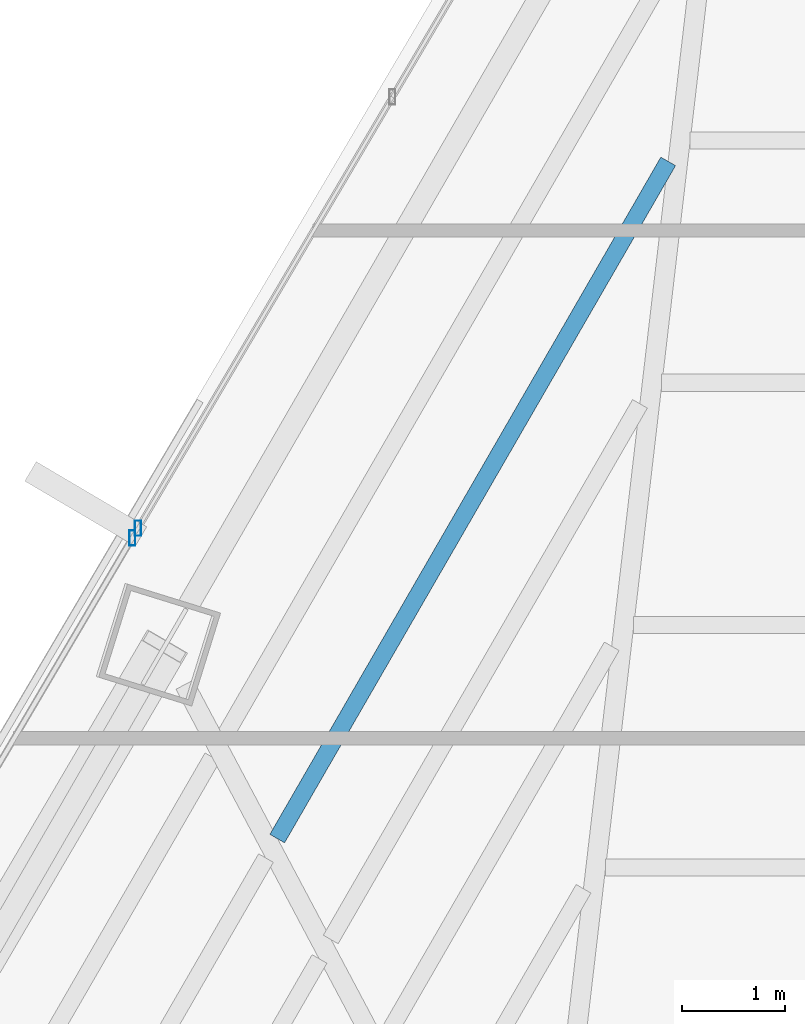
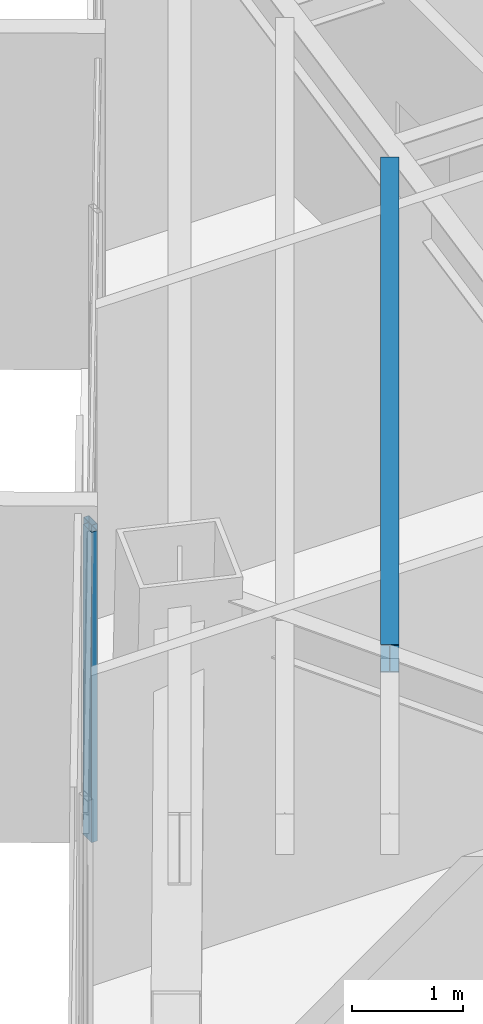
# One storey, part 26 of 41: 2 members, 1 beam, 2 elements without a shape of their own.
"""IFC4 building model written with IfcOpenShell, lengths in metres."""

import ifcopenshell
import ifcopenshell.guid

model = None  # the IFC model being written
_history = None  # IfcOwnerHistory: only IFC2X3 demands one
_inside = {}  # id of a spatial element -> (the spatial element, [elements in it])
_under = {}  # id of a project, library or spatial element -> (it, [spatial elements below it])
_declared = {}  # id of a project -> (the project, [libraries it declares])
_typed = {}  # id of a type object -> (the type object, [elements of that type])
_made_of = {}  # id of a material, layer set ... -> (it, [elements and type objects made of it])


def new_model(schema):
    """Start an empty IFC model of exactly this schema.

    Asked for "IFC4X3", IfcOpenShell would pick the latest addendum, in which some entities
    have other attributes; the version numbers below select the first issue.
    IFC2X3 requires an IfcOwnerHistory on every rooted entity: one is made here for all.
    """
    global model, _history
    if schema == "IFC4X3":
        model = ifcopenshell.file(schema_version=(4, 3, 0, 0))
    else:
        model = ifcopenshell.file(schema=schema)
    _inside.clear()
    _under.clear()
    _declared.clear()
    _typed.clear()
    _made_of.clear()
    _history = None
    if model.schema == "IFC2X3":
        org = make("IfcOrganization", Name="unknown")
        user = make(
            "IfcPersonAndOrganization",
            ThePerson=make("IfcPerson", FamilyName="unknown"),
            TheOrganization=org,
        )
        app = make(
            "IfcApplication",
            ApplicationDeveloper=org,
            Version="unknown",
            ApplicationFullName="unknown",
            ApplicationIdentifier="unknown",
        )
        _history = make(
            "IfcOwnerHistory",
            OwningUser=user,
            OwningApplication=app,
            ChangeAction="ADDED",
            CreationDate=0,
        )
    return model


def make(cls, **values):
    """One entity of the class cls with the attributes given. An attribute that is None is left unset."""
    return model.create_entity(
        cls, **{name: value for name, value in values.items() if value is not None}
    )


def rooted(cls, **values):
    """An entity with a GlobalId (a new one), such as an element, a storey or a relation."""
    return make(cls, GlobalId=ifcopenshell.guid.new(), OwnerHistory=_history, **values)


def si_unit(unit_type, name, prefix=None):
    """IfcSIUnit, for example si_unit("LENGTHUNIT", "METRE", prefix="MILLI")."""
    return make("IfcSIUnit", UnitType=unit_type, Prefix=prefix, Name=name)


def assignment(units):
    """IfcUnitAssignment: the units of a project."""
    return None if units is None else make("IfcUnitAssignment", Units=units)


def point(xyz):
    """IfcCartesianPoint."""
    return None if xyz is None else make("IfcCartesianPoint", Coordinates=xyz)


def direction(xyz):
    """IfcDirection."""
    return None if xyz is None else make("IfcDirection", DirectionRatios=xyz)


def frame(location, z_axis=None, x_axis=None):
    """IfcAxis2Placement3D, a coordinate frame: its origin and axes. An axis left out is left unset."""
    return make(
        "IfcAxis2Placement3D",
        Location=point(location),
        Axis=direction(z_axis),
        RefDirection=direction(x_axis),
    )


def frame_2d(location, x_axis=None):
    """IfcAxis2Placement2D, a coordinate frame in the plane: its origin and x axis."""
    return make(
        "IfcAxis2Placement2D", Location=point(location), RefDirection=direction(x_axis)
    )


def origin():
    """The frame at (0, 0, 0) with its axes left unset."""
    return frame((0.0, 0.0, 0.0))


def origin_2d():
    """The frame at (0, 0) in the plane with its x axis left unset."""
    return frame_2d((0.0, 0.0))


def place(relative_to, where):
    """IfcLocalPlacement: puts the frame where relative to a parent placement (None: the world)."""
    return make(
        "IfcLocalPlacement", PlacementRelTo=relative_to, RelativePlacement=where
    )


def context(
    kind, dimensions, precision=None, world=None, true_north=None, identifier=None
):
    """IfcGeometricRepresentationContext, for example the 3D "Model" context."""
    return make(
        "IfcGeometricRepresentationContext",
        ContextIdentifier=identifier,
        ContextType=kind,
        CoordinateSpaceDimension=dimensions,
        Precision=precision,
        WorldCoordinateSystem=world,
        TrueNorth=true_north,
    )


def subcontext(parent, identifier, kind, view, scale=None):
    """IfcGeometricRepresentationSubContext, for example "Body" below "Model"."""
    return make(
        "IfcGeometricRepresentationSubContext",
        ContextIdentifier=identifier,
        ContextType=kind,
        ParentContext=parent,
        TargetScale=scale,
        TargetView=view,
    )


def project(units=None, contexts=None):
    """IfcProject with its units and contexts."""
    return rooted(
        "IfcProject",
        Name="project",
        RepresentationContexts=contexts,
        UnitsInContext=assignment(units),
    )


def spatial(cls, under=None, at=None, **own):
    """A site, building, storey or space (cls), placed at a placement, below another one or the project."""
    s = rooted(cls, ObjectPlacement=at, **own)
    if under is not None:
        _under.setdefault(under.id(), (under, []))[1].append(s)
    return s


def profile(cls, at=None, kind="AREA", **sizes):
    """A parametric profile (cls). Its sizes go by their IFC names, for example OverallWidth=200.0."""
    return make(cls, ProfileType=kind, Position=at, **sizes)


def hollow_rectangle(**sizes):
    """IfcRectangleHollowProfileDef."""
    return profile("IfcRectangleHollowProfileDef", **sizes)


def i_section(**sizes):
    """IfcIShapeProfileDef."""
    return profile("IfcIShapeProfileDef", **sizes)


def extrude(swept, where, along, depth):
    """IfcExtrudedAreaSolid: the profile swept, set in the frame where, extruded along a direction by depth."""
    return make(
        "IfcExtrudedAreaSolid",
        SweptArea=swept,
        Position=where,
        ExtrudedDirection=direction(along),
        Depth=depth,
    )


def shape(context_of_items, identifier, shape_type, items):
    """IfcShapeRepresentation: the items that make up one representation, for example the "Body"."""
    return make(
        "IfcShapeRepresentation",
        ContextOfItems=context_of_items,
        RepresentationIdentifier=identifier,
        RepresentationType=shape_type,
        Items=items,
    )


def source(mapping_origin, context_of_items, identifier, shape_type, items):
    """IfcRepresentationMap: a shape defined once, which mapped items show again and again."""
    return make(
        "IfcRepresentationMap",
        MappingOrigin=mapping_origin,
        MappedRepresentation=shape(context_of_items, identifier, shape_type, items),
    )


def transform(
    local_origin,
    x_axis=None,
    y_axis=None,
    z_axis=None,
    scale=None,
    scale2=None,
    scale3=None,
    uniform=True,
):
    """IfcCartesianTransformationOperator3D, or its non-uniform kind. x_axis, y_axis, z_axis: its Axis1, 2, 3."""
    if uniform:
        return make(
            "IfcCartesianTransformationOperator3D",
            Axis1=direction(x_axis),
            Axis2=direction(y_axis),
            LocalOrigin=point(local_origin),
            Scale=scale,
            Axis3=direction(z_axis),
        )
    return make(
        "IfcCartesianTransformationOperator3DnonUniform",
        Axis1=direction(x_axis),
        Axis2=direction(y_axis),
        LocalOrigin=point(local_origin),
        Scale=scale,
        Axis3=direction(z_axis),
        Scale2=scale2,
        Scale3=scale3,
    )


def mapped(mapping_source, mapping_target):
    """IfcMappedItem: shows the shape of a source again, moved by a transform."""
    return make(
        "IfcMappedItem", MappingSource=mapping_source, MappingTarget=mapping_target
    )


def material(Name=None, Category=None):
    """IfcMaterial."""
    return make("IfcMaterial", Name=Name, Category=Category)


def material_profile(
    of_material, cross_section, Name=None, Category=None, Priority=None
):
    """IfcMaterialProfile: a cross section and its material."""
    return make(
        "IfcMaterialProfile",
        Name=Name,
        Material=of_material,
        Profile=cross_section,
        Priority=Priority,
        Category=Category,
    )


def profile_set(profiles, Name=None, composite=None):
    """IfcMaterialProfileSet."""
    return make(
        "IfcMaterialProfileSet",
        Name=Name,
        MaterialProfiles=profiles,
        CompositeProfile=composite,
    )


def made_of(thing, what):
    """Note that an element or type object is made of a material, layer set ...; save() writes the relation."""
    if what is not None:
        _made_of.setdefault(what.id(), (what, []))[1].append(thing)
    return thing


def type_object(cls, material=None, **own):
    """A type object (cls), such as IfcWallType, which elements share."""
    return made_of(rooted(cls, **own), material)


def type_shapes(of_type, sources):
    """Give a type object the sources (RepresentationMaps) that its elements show as mapped items."""
    of_type.RepresentationMaps = sources


def element(
    cls,
    number,
    at=None,
    inside=None,
    cuts=None,
    type_object=None,
    material=None,
    context=None,
    identifier="Body",
    shape_type=None,
    held_by="IfcProductDefinitionShape",
    body=None,
    shapes=None,
    **own,
):
    """One element of the class cls, such as IfcWall. Its Tag is "e" and its number.

    at: its placement. inside: the storey or other place that contains it. cuts: it is an
    opening in that element (IfcRelVoidsElement). A single representation is given by context,
    identifier, shape_type and body (its items); several are given by shapes. held_by: the class
    of the entity that holds the representations. save() writes the other relations.
    """
    e = rooted(cls, Tag="e%d" % number, ObjectPlacement=at, **own)
    if body is not None:
        shapes = [shape(context, identifier, shape_type, body)]
    if shapes is not None:
        e.Representation = make(held_by, Representations=shapes)
    if inside is not None:
        _inside.setdefault(inside.id(), (inside, []))[1].append(e)
    if cuts is not None:
        rooted(
            "IfcRelVoidsElement", RelatingBuildingElement=cuts, RelatedOpeningElement=e
        )
    if type_object is not None:
        _typed.setdefault(type_object.id(), (type_object, []))[1].append(e)
    return made_of(e, material)


def aggregate(whole, parts):
    """IfcRelAggregates: a whole, such as a stair, and the parts it consists of."""
    return rooted("IfcRelAggregates", RelatingObject=whole, RelatedObjects=parts)


def save(model, path):
    """Write the relations noted so far, then the file.

    IfcRelAggregates (storeys below a building ...), IfcRelContainedInSpatialStructure (elements
    in a storey), IfcRelDefinesByType, IfcRelAssociatesMaterial and IfcRelDeclares: one each for
    every whole, place, type object, material and project.
    """
    for whole, parts in _under.values():
        aggregate(whole, parts)
    for where, things in _inside.values():
        rooted(
            "IfcRelContainedInSpatialStructure",
            RelatedElements=things,
            RelatingStructure=where,
        )
    for kind, things in _typed.values():
        rooted("IfcRelDefinesByType", RelatedObjects=things, RelatingType=kind)
    for what, things in _made_of.values():
        rooted("IfcRelAssociatesMaterial", RelatedObjects=things, RelatingMaterial=what)
    for by, libraries in _declared.values():
        rooted("IfcRelDeclares", RelatingContext=by, RelatedDefinitions=libraries)
    model.write(path)


model = new_model("IFC4")

# Units and contexts
model_context = context("Model", 3, precision=1e-05, world=origin(), true_north=direction((0.0, 1.0)))
body_context = subcontext(model_context, "Body", "Model", "MODEL_VIEW")
ifc_project = project(units=[si_unit("LENGTHUNIT", "METRE"), si_unit("AREAUNIT", "SQUARE_METRE"), si_unit("VOLUMEUNIT", "CUBIC_METRE"), si_unit("PLANEANGLEUNIT", "RADIAN"), si_unit("MASSUNIT", "GRAM", prefix="KILO")], contexts=[model_context])

# Site, building, storey
site_placement = place(None, origin())
site = spatial("IfcSite", under=ifc_project, at=site_placement, CompositionType="ELEMENT")
building_placement = place(site_placement, origin())
building = spatial("IfcBuilding", under=site, at=building_placement, Name="Caelisora Broadcast Tower", CompositionType="ELEMENT")
storey_placement = place(building_placement, frame((0.0, 0.0, 180.39990234375)))
storey = spatial("IfcBuildingStorey", under=building, at=storey_placement, Name="L47", CompositionType="ELEMENT", Elevation=180.39990234375)

# Beam
ifc_material_1 = material(Name="Steel Grade 350 (AS/NZS 3679.1)", Category="steel")
ifc_material_profile_1 = material_profile(ifc_material_1, i_section(OverallWidth=0.166015625, OverallDepth=0.30712890625, WebThickness=0.006591796875, FlangeThickness=0.01171875, at=origin_2d()), Name="Steel Grade 350 (AS/NZS 3679.1)")
ifc_profile_set_1 = profile_set([ifc_material_profile_1], Name="Steel Grade 350 (AS/NZS 3679.1)")
beam_type = type_object("IfcBeamType", Name="SB03", PredefinedType="JOIST", material=ifc_profile_set_1)
shared_shape_1 = source(origin(), body_context, "Body", "SweptSolid", [
    extrude(i_section(OverallWidth=0.166015625, OverallDepth=0.30712890625, WebThickness=0.006591796875, FlangeThickness=0.01171875, at=origin_2d()), origin(), (0.0, 0.0, 1.0), 7.62353515625),
])
type_shapes(beam_type, [shared_shape_1])
beam_placement = place(storey_placement, frame((31.756591796875, 41.613525390625, 3.24658203125), z_axis=(-0.499993194938, -0.866029332653, 0.0), x_axis=(0.866029332653, -0.499993194938, 0.0)))
element("IfcBeam", 1, at=beam_placement, inside=storey, type_object=beam_type, Name="L47 beam SB03", PredefinedType="JOIST", context=body_context, shape_type="MappedRepresentation", body=[
    mapped(shared_shape_1, transform((0.0, 0.0, 0.0), scale=1.0)),
])

# Curtain wall, member
ifc_material_2 = material(Name="Unitised Aluminium Insulated Shadow-Box Spandrel Curtain Wall", Category="aluminium")
curtain_wall_type_1 = type_object("IfcCurtainWallType", Name="CW-SP2", PredefinedType="NOTDEFINED", material=ifc_material_2)
curtain_wall_1_placement = place(storey_placement, origin())
curtain_wall_1 = element("IfcCurtainWall", 2, at=curtain_wall_1_placement, inside=storey, type_object=curtain_wall_type_1, Name="L47 curtain wall CW-SP2", PredefinedType="NOTDEFINED")
ifc_material_3 = material(Name="Aluminium 6063-T6 Anodised Terracotta Bronze", Category="aluminium")
ifc_material_profile_2 = material_profile(ifc_material_3, hollow_rectangle(XDim=0.06005859375, YDim=0.14990234375, WallThickness=0.00341796875, at=origin_2d()), Name="Aluminium 6063-T6 Anodised Terracotta Bronze")
ifc_profile_set_2 = profile_set([ifc_material_profile_2], Name="Aluminium 6063-T6 Anodised Terracotta Bronze")
member_type = type_object("IfcMemberType", Name="CWM-03", PredefinedType="MULLION", material=ifc_profile_set_2)
shared_shape_2 = source(origin(), body_context, "Body", "SweptSolid", [
    extrude(hollow_rectangle(XDim=0.06005859375, YDim=0.14990234375, WallThickness=0.00341796875, at=origin_2d()), origin(), (0.0, 0.0, 1.0), 3.400146484375),
])
type_shapes(member_type, [shared_shape_2])
member_1_placement = place(storey_placement, frame((26.532470703125, 37.94189453125, 0.0), z_axis=(0.0, 0.0, 1.0), x_axis=(1.0, 0.0, 0.0)))
member_1 = element("IfcMember", 3, at=member_1_placement, type_object=member_type, Name="L47-CW-B10 mullion #3", PredefinedType="MULLION", context=body_context, shape_type="MappedRepresentation", body=[
    mapped(shared_shape_2, transform((0.0, 0.0, 0.0), scale=1.0)),
])
aggregate(curtain_wall_1, [member_1])

ifc_material_4 = material(Name="Unitised Aluminium and Low-E Glass Curtain Wall", Category="glass")
curtain_wall_type_2 = type_object("IfcCurtainWallType", Name="CW-Z3", PredefinedType="NOTDEFINED", material=ifc_material_4)
curtain_wall_2_placement = place(storey_placement, origin())
curtain_wall_2 = element("IfcCurtainWall", 4, at=curtain_wall_2_placement, inside=storey, type_object=curtain_wall_type_2, Name="L47 curtain wall CW-Z3", PredefinedType="NOTDEFINED")
member_2_placement = place(storey_placement, frame((26.58837890625, 38.03662109375, 0.0), z_axis=(0.0, 0.0, 1.0), x_axis=(1.0, 0.0, 0.0)))
member_2 = element("IfcMember", 5, at=member_2_placement, type_object=member_type, Name="L47-CW-B11 mullion #0", PredefinedType="MULLION", context=body_context, shape_type="MappedRepresentation", body=[
    mapped(shared_shape_2, transform((0.0, 0.0, 0.0), scale=1.0)),
])
aggregate(curtain_wall_2, [member_2])

save(model, "model.ifc")
